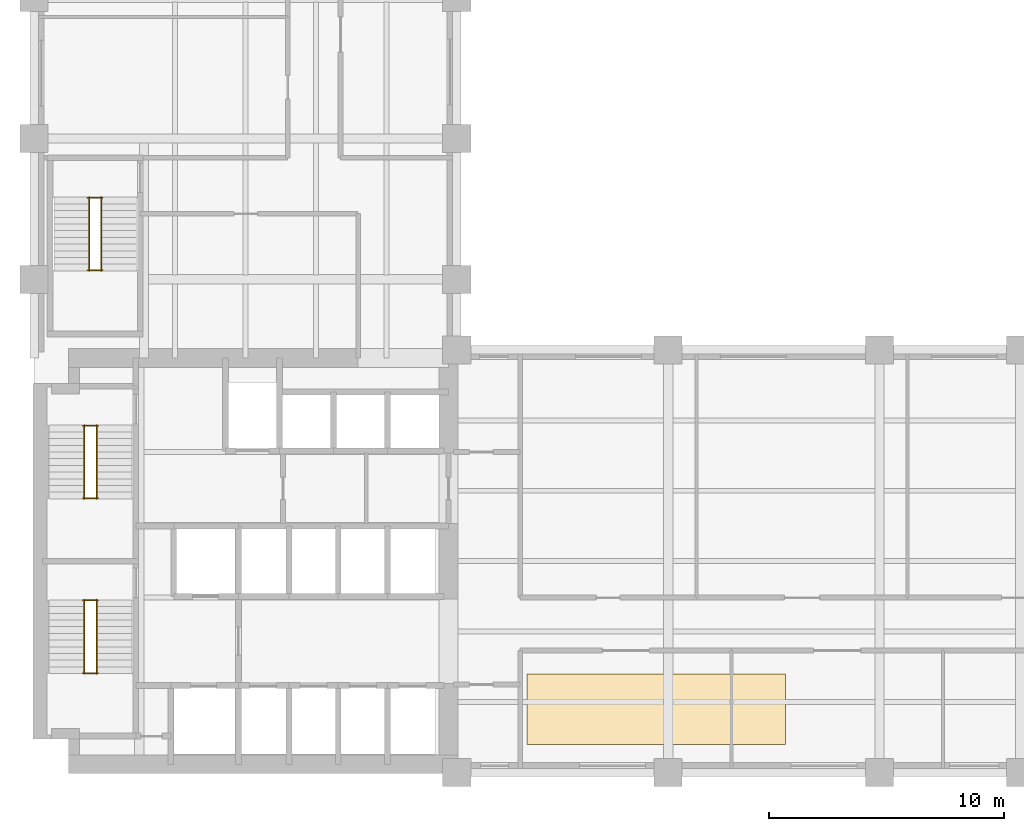
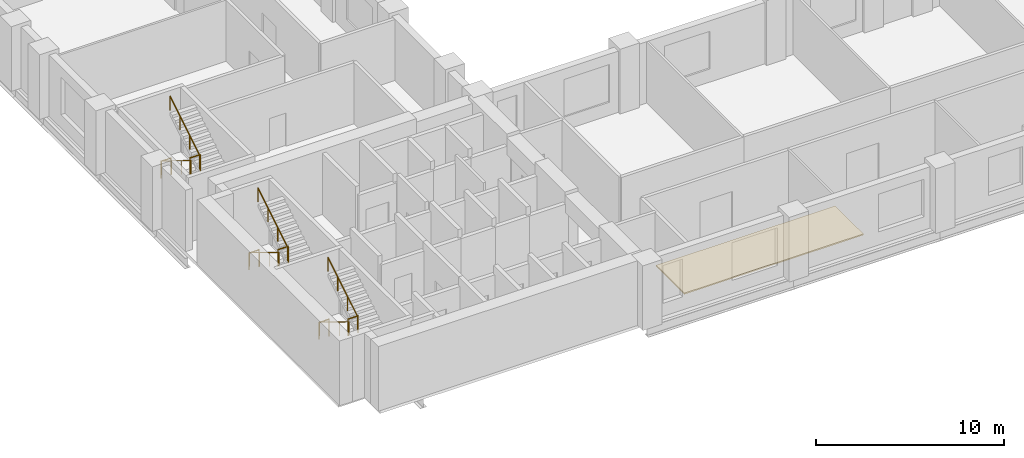
# One storey, part 7 of 7: 12 railings, 1 covering.
"""IFC4 building model written with IfcOpenShell, lengths in metres."""

from ifc_helpers import new_model, si_unit, direction, frame, origin, origin_2d, place, context, subcontext, project, spatial, polyline, circle, outline, extrude, material, layer, layer_set, type_object, element, save


model = new_model("IFC4")

# Units and contexts
model_context = context("Model", 3, precision=1e-05, world=origin(), true_north=direction((0.0, 1.0)))
body_context = subcontext(model_context, "Body", "Model", "MODEL_VIEW")
ifc_project = project(units=[si_unit("LENGTHUNIT", "METRE"), si_unit("AREAUNIT", "SQUARE_METRE"), si_unit("VOLUMEUNIT", "CUBIC_METRE"), si_unit("PLANEANGLEUNIT", "RADIAN"), si_unit("MASSUNIT", "GRAM", prefix="KILO")], contexts=[model_context])

# Site, building, storey
site_placement = place(None, origin())
site = spatial("IfcSite", under=ifc_project, at=site_placement, CompositionType="ELEMENT")
building_placement = place(site_placement, origin())
building = spatial("IfcBuilding", under=site, at=building_placement, Name="Mawjdan Bourse Tower", CompositionType="ELEMENT")
storey_placement = place(building_placement, frame((0.0, 0.0, 34.199951171875)))
storey = spatial("IfcBuildingStorey", under=building, at=storey_placement, Name="L07", CompositionType="ELEMENT", Elevation=34.199951171875)

# Covering
ifc_material_1 = material(Name="Calcium Sulphate Antistatic Raised Floor Tile")
ifc_layer = layer(ifc_material_1, 0.080078125)
ifc_layer_set = layer_set([ifc_layer], Name="Calcium Sulphate Antistatic Raised Floor Tile")
covering_type = type_object("IfcCoveringType", Name="COV-FLR-450", PredefinedType="FLOORING", material=ifc_layer_set)
covering_placement = place(storey_placement, origin())
element("IfcCovering", 1, at=covering_placement, inside=storey, type_object=covering_type, Name="L07 Antistatic Raised Access Trading Floor", PredefinedType="FLOORING", context=body_context, shape_type="SweptSolid", body=[
    extrude(outline(polyline([(27.0, 4.199951171875), (38.0, 4.199951171875), (38.0, 7.199951171875), (27.0, 7.199951171875), (27.0, 4.199951171875)])), origin(), (0.0, 0.0, 1.0), 0.080078125),
])

# Railings
ifc_material_2 = material(Name="Structural Steel S355", Category="steel")
railing_type_1 = type_object("IfcRailingType", Name="RLG-GRD-1100", PredefinedType="GUARDRAIL", material=ifc_material_2)
for number, where, name in (
    (2, (8.090087890625, 7.235107421875, 2.10009765625), "L07 ST1 Landing Guardrail GL-MID"),
    (3, (8.090087890625, 10.330078125, 0.0), "L07 ST1 Landing Guardrail GL-BOT"),
    (4, (8.090087890625, 14.675048828125, 2.10009765625), "L07 ST2 Landing Guardrail GL-MID"),
    (5, (8.090087890625, 17.77001953125, 0.0), "L07 ST2 Landing Guardrail GL-BOT"),
    (6, (8.2900390625, 24.385009765625, 2.10009765625), "L07 ST3 Landing Guardrail GL-MID"),
    (7, (8.2900390625, 27.47998046875, 0.0), "L07 ST3 Landing Guardrail GL-BOT"),
):
    element("IfcRailing", number, at=place(storey_placement, frame(where)), inside=storey, type_object=railing_type_1, Name=name, PredefinedType="GUARDRAIL", context=body_context, shape_type="SweptSolid", body=[
        extrude(circle(Radius=0.02490234375, at=origin_2d()), frame((0.0, 0.0, 1.0751953125), z_axis=(1.0, 0.0, 0.0), x_axis=(0.0, 1.0, 0.0)), (0.0, 0.0, 1.0), 0.619873046875),
        extrude(circle(Radius=0.02099609375, at=origin_2d()), origin(), (0.0, 0.0, 1.0), 1.050048828125),
        extrude(circle(Radius=0.02099609375, at=origin_2d()), frame((0.619873046875, 0.0, 0.0)), (0.0, 0.0, 1.0), 1.050048828125),
    ])
ifc_material_3 = material(Name="Brushed Stainless Steel", Category="steel")
railing_type_2 = type_object("IfcRailingType", Name="RLG-HND-920", PredefinedType="HANDRAIL", material=ifc_material_3)
railing_1_placement = place(storey_placement, frame((8.139892578125, 10.35009765625, 0.175048828125)))
element("IfcRailing", 8, at=railing_1_placement, inside=storey, type_object=railing_type_2, Name="L07 ST1 Flight Handrail HR1", PredefinedType="HANDRAIL", context=body_context, shape_type="SweptSolid", body=[
    extrude(circle(Radius=0.0224609375, at=origin_2d()), frame((0.0, 0.0, 0.8974609375), z_axis=(0.0, -0.852166034122, 0.523271488128), x_axis=(1.0, 0.0, 0.0)), (0.0, 0.0, 1.0), 3.678955078125),
    extrude(circle(Radius=0.01904296875, at=origin_2d()), origin(), (0.0, 0.0, 1.0), 0.875),
    extrude(circle(Radius=0.01904296875, at=origin_2d()), frame((0.0, -1.044921875, 0.6416015625)), (0.0, 0.0, 1.0), 0.875),
    extrude(circle(Radius=0.01904296875, at=origin_2d()), frame((0.0, -2.090087890625, 1.283447265625)), (0.0, 0.0, 1.0), 0.875),
    extrude(circle(Radius=0.01904296875, at=origin_2d()), frame((0.0, -3.135009765625, 1.925048828125)), (0.0, 0.0, 1.0), 0.875),
])
railing_2_placement = place(storey_placement, frame((8.659912109375, 7.215087890625, 2.275146484375)))
element("IfcRailing", 9, at=railing_2_placement, inside=storey, type_object=railing_type_2, Name="L07 ST1 Flight Handrail HR2", PredefinedType="HANDRAIL", context=body_context, shape_type="SweptSolid", body=[
    extrude(circle(Radius=0.0224609375, at=origin_2d()), frame((0.0, 0.0, 0.8974609375), z_axis=(0.0, 0.852195625947, 0.523223293744), x_axis=(-1.0, 0.0, 0.0)), (0.0, 0.0, 1.0), 3.6787109375),
    extrude(circle(Radius=0.01904296875, at=origin_2d()), origin(), (0.0, 0.0, 1.0), 0.875),
    extrude(circle(Radius=0.01904296875, at=origin_2d()), frame((0.0, 1.044921875, 0.6416015625)), (0.0, 0.0, 1.0), 0.875),
    extrude(circle(Radius=0.01904296875, at=origin_2d()), frame((0.0, 2.090087890625, 1.283203125)), (0.0, 0.0, 1.0), 0.875),
    extrude(circle(Radius=0.01904296875, at=origin_2d()), frame((0.0, 3.135009765625, 1.9248046875)), (0.0, 0.0, 1.0), 0.875),
])
railing_3_placement = place(storey_placement, frame((8.139892578125, 17.7900390625, 0.175048828125)))
element("IfcRailing", 10, at=railing_3_placement, inside=storey, type_object=railing_type_2, Name="L07 ST2 Flight Handrail HR1", PredefinedType="HANDRAIL", context=body_context, shape_type="SweptSolid", body=[
    extrude(circle(Radius=0.0224609375, at=origin_2d()), frame((0.0, 0.0, 0.8974609375), z_axis=(0.0, -0.852166034122, 0.523271488128), x_axis=(1.0, 0.0, 0.0)), (0.0, 0.0, 1.0), 3.678955078125),
    extrude(circle(Radius=0.01904296875, at=origin_2d()), origin(), (0.0, 0.0, 1.0), 0.875),
    extrude(circle(Radius=0.01904296875, at=origin_2d()), frame((0.0, -1.044921875, 0.6416015625)), (0.0, 0.0, 1.0), 0.875),
    extrude(circle(Radius=0.01904296875, at=origin_2d()), frame((0.0, -2.090087890625, 1.283447265625)), (0.0, 0.0, 1.0), 0.875),
    extrude(circle(Radius=0.01904296875, at=origin_2d()), frame((0.0, -3.135009765625, 1.925048828125)), (0.0, 0.0, 1.0), 0.875),
])
railing_4_placement = place(storey_placement, frame((8.659912109375, 14.655029296875, 2.275146484375)))
element("IfcRailing", 11, at=railing_4_placement, inside=storey, type_object=railing_type_2, Name="L07 ST2 Flight Handrail HR2", PredefinedType="HANDRAIL", context=body_context, shape_type="SweptSolid", body=[
    extrude(circle(Radius=0.0224609375, at=origin_2d()), frame((0.0, 0.0, 0.8974609375), z_axis=(0.0, 0.852195625947, 0.523223293744), x_axis=(-1.0, 0.0, 0.0)), (0.0, 0.0, 1.0), 3.6787109375),
    extrude(circle(Radius=0.01904296875, at=origin_2d()), origin(), (0.0, 0.0, 1.0), 0.875),
    extrude(circle(Radius=0.01904296875, at=origin_2d()), frame((0.0, 1.044921875, 0.6416015625)), (0.0, 0.0, 1.0), 0.875),
    extrude(circle(Radius=0.01904296875, at=origin_2d()), frame((0.0, 2.090087890625, 1.283203125)), (0.0, 0.0, 1.0), 0.875),
    extrude(circle(Radius=0.01904296875, at=origin_2d()), frame((0.0, 3.135009765625, 1.9248046875)), (0.0, 0.0, 1.0), 0.875),
])
railing_5_placement = place(storey_placement, frame((8.340087890625, 27.5, 0.175048828125)))
element("IfcRailing", 12, at=railing_5_placement, inside=storey, type_object=railing_type_2, Name="L07 ST3 Flight Handrail HR1", PredefinedType="HANDRAIL", context=body_context, shape_type="SweptSolid", body=[
    extrude(circle(Radius=0.0224609375, at=origin_2d()), frame((0.0, 0.0, 0.8974609375), z_axis=(0.0, -0.852166034122, 0.523271488128), x_axis=(1.0, 0.0, 0.0)), (0.0, 0.0, 1.0), 3.678955078125),
    extrude(circle(Radius=0.01904296875, at=origin_2d()), origin(), (0.0, 0.0, 1.0), 0.875),
    extrude(circle(Radius=0.01904296875, at=origin_2d()), frame((0.0, -1.044921875, 0.6416015625)), (0.0, 0.0, 1.0), 0.875),
    extrude(circle(Radius=0.01904296875, at=origin_2d()), frame((0.0, -2.090087890625, 1.283447265625)), (0.0, 0.0, 1.0), 0.875),
    extrude(circle(Radius=0.01904296875, at=origin_2d()), frame((0.0, -3.135009765625, 1.925048828125)), (0.0, 0.0, 1.0), 0.875),
])
railing_6_placement = place(storey_placement, frame((8.860107421875, 24.364990234375, 2.275146484375)))
element("IfcRailing", 13, at=railing_6_placement, inside=storey, type_object=railing_type_2, Name="L07 ST3 Flight Handrail HR2", PredefinedType="HANDRAIL", context=body_context, shape_type="SweptSolid", body=[
    extrude(circle(Radius=0.0224609375, at=origin_2d()), frame((0.0, 0.0, 0.8974609375), z_axis=(0.0, 0.852195625947, 0.523223293744), x_axis=(-1.0, 0.0, 0.0)), (0.0, 0.0, 1.0), 3.6787109375),
    extrude(circle(Radius=0.01904296875, at=origin_2d()), origin(), (0.0, 0.0, 1.0), 0.875),
    extrude(circle(Radius=0.01904296875, at=origin_2d()), frame((0.0, 1.044921875, 0.6416015625)), (0.0, 0.0, 1.0), 0.875),
    extrude(circle(Radius=0.01904296875, at=origin_2d()), frame((0.0, 2.090087890625, 1.283203125)), (0.0, 0.0, 1.0), 0.875),
    extrude(circle(Radius=0.01904296875, at=origin_2d()), frame((0.0, 3.135009765625, 1.9248046875)), (0.0, 0.0, 1.0), 0.875),
])

save(model, "model.ifc")
